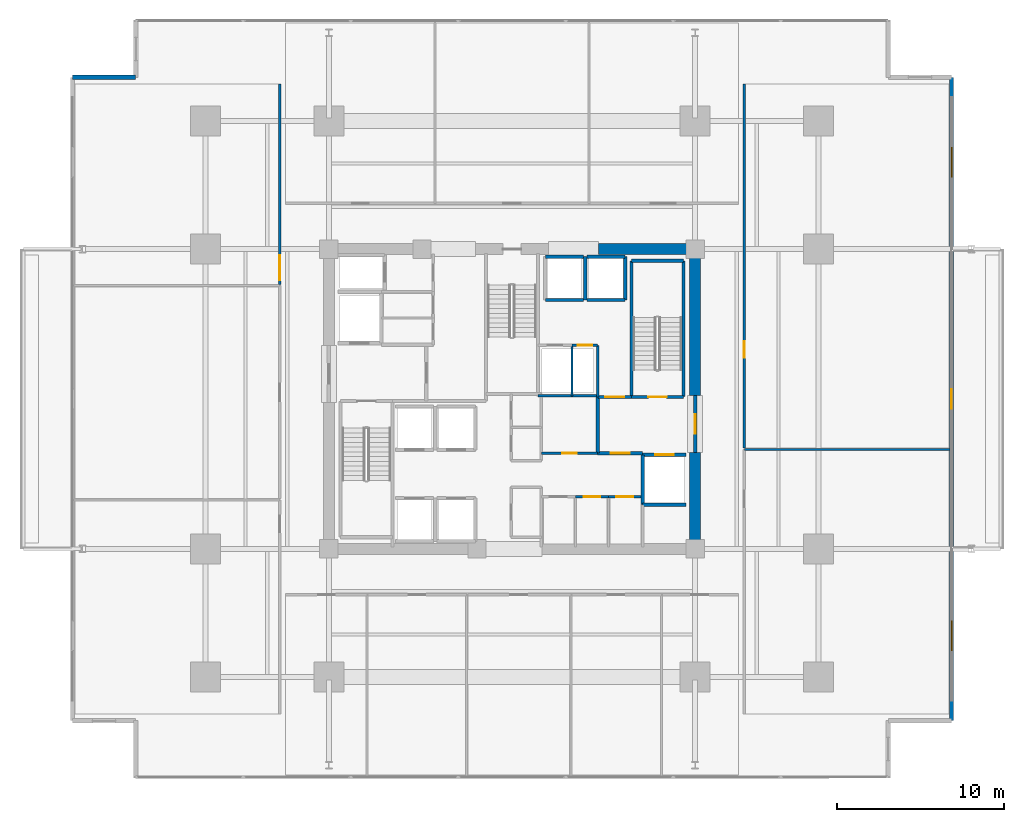
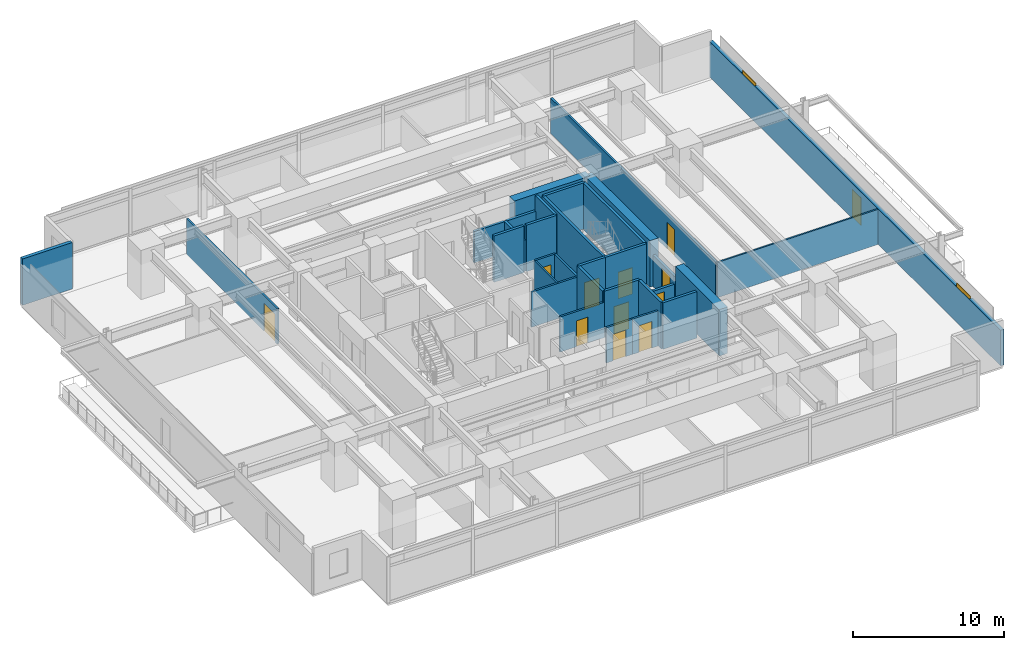
# One storey, part 17 of 22: 32 walls, 12 doors, 2 windows, 14 openings.
"""IFC4 building model written with IfcOpenShell, lengths in metres."""

from ifc_helpers import new_model, si_unit, direction, frame, frame_2d, origin, place, context, subcontext, project, spatial, rectangle, extrude, material, layer, layer_set, type_object, element, fill, save


model = new_model("IFC4")

# Units and contexts
model_context = context("Model", 3, precision=1e-05, world=origin(), true_north=direction((0.0, 1.0)))
body_context = subcontext(model_context, "Body", "Model", "MODEL_VIEW")
ifc_project = project(units=[si_unit("LENGTHUNIT", "METRE"), si_unit("AREAUNIT", "SQUARE_METRE"), si_unit("VOLUMEUNIT", "CUBIC_METRE"), si_unit("PLANEANGLEUNIT", "RADIAN"), si_unit("MASSUNIT", "GRAM", prefix="KILO")], contexts=[model_context])

# Site, building, storey
site_placement = place(None, origin())
site = spatial("IfcSite", under=ifc_project, at=site_placement, CompositionType="ELEMENT")
building_placement = place(site_placement, origin())
building = spatial("IfcBuilding", under=site, at=building_placement, Name="Kovane Verandah Tower", CompositionType="ELEMENT")
storey_placement = place(building_placement, frame((0.0, 0.0, 99.60009765625)))
storey = spatial("IfcBuildingStorey", under=building, at=storey_placement, Name="L23", CompositionType="ELEMENT", Elevation=99.60009765625)

# Wall
ifc_material_1 = material(Name="Fire-Rated Gypsum Stud Partition", Category="gypsum")
ifc_layer_1 = layer(ifc_material_1, 0.14990234375)
ifc_layer_set_1 = layer_set([ifc_layer_1], Name="Fire-Rated Gypsum Stud Partition")
wall_type_1 = type_object("IfcWallType", Name="WL-COR-150", PredefinedType="PARTITIONING", material=ifc_layer_set_1)
wall_1_placement = place(storey_placement, frame((41.56005859375, 27.679931640625, 0.0), z_axis=(0.0, 0.0, 1.0), x_axis=(1.0, 0.0, 0.0)))
element("IfcWall", 1, at=wall_1_placement, inside=storey, type_object=wall_type_1, Name="L23 East Core Service Riser South Wall", PredefinedType="PARTITIONING", context=body_context, shape_type="SweptSolid", body=[
    extrude(rectangle(XDim=3.58984375, YDim=0.14990234375, at=frame_2d((1.794921875, 0.0))), origin(), (0.0, 0.0, 1.0), 2.849853515625),
])

# Wall, opening, door
wall_2_placement = place(storey_placement, frame((43.800048828125, 21.6201171875, 0.0), z_axis=(0.0, 0.0, 1.0), x_axis=(1.0, 0.0, 0.0)))
wall_2 = element("IfcWall", 2, at=wall_2_placement, inside=storey, type_object=wall_type_1, Name="L23 First Aid Room Partition", PredefinedType="PARTITIONING", context=body_context, shape_type="SweptSolid", body=[
    extrude(rectangle(XDim=2.0, YDim=0.14990234375, at=frame_2d((1.0, 0.0))), origin(), (0.0, 0.0, 1.0), 2.849853515625),
])
opening_1_placement = place(wall_2_placement, frame((0.5, 0.0, 0.0)))
opening_1 = element("IfcOpeningElement", 3, at=opening_1_placement, cuts=wall_2, Name="Opening DR-L23-016", PredefinedType="OPENING", context=body_context, shape_type="SweptSolid", body=[
    extrude(rectangle(XDim=1.0, YDim=2.14990234375, at=frame_2d((0.5, 1.074951171875))), frame((0.0, 0.074951171875, 0.0), z_axis=(0.0, -1.0, 0.0), x_axis=(1.0, 0.0, 0.0)), (0.0, 0.0, 1.0), 0.14990234375),
])
ifc_material_2 = material(Name="FSC Spotted-Gum Timber Fire-Rated Office Door", Category="wood")
door_type_1 = type_object("IfcDoorType", Name="DR-OFF-1000", OperationType="SINGLE_SWING_LEFT", PredefinedType="DOOR", material=ifc_material_2)
door_1_placement = place(opening_1_placement, origin())
door_1 = element("IfcDoor", 4, at=door_1_placement, inside=storey, type_object=door_type_1, Name="L23 First Aid Room Door", OperationType="SINGLE_SWING_RIGHT", OverallHeight=2.14990234375, OverallWidth=1.0, PredefinedType="DOOR", context=body_context, shape_type="SweptSolid", body=[
    extrude(rectangle(XDim=1.0, YDim=2.14990234375, at=frame_2d((0.5, 1.074951171875))), frame((0.0, 0.02490234375, 0.0), z_axis=(0.0, -1.0, 0.0), x_axis=(1.0, 0.0, 0.0)), (0.0, 0.0, 1.0), 0.050048828125),
])
fill(opening_1, door_1)

wall_3_placement = place(storey_placement, frame((45.800048828125, 21.6201171875, 0.0), z_axis=(0.0, 0.0, 1.0), x_axis=(1.0, 0.0, 0.0)))
wall_3 = element("IfcWall", 5, at=wall_3_placement, inside=storey, type_object=wall_type_1, Name="L23 Quiet Wellness Room Partition", PredefinedType="PARTITIONING", context=body_context, shape_type="SweptSolid", body=[
    extrude(rectangle(XDim=1.93994140625, YDim=0.14990234375, at=frame_2d((0.969970703125, 0.0))), origin(), (0.0, 0.0, 1.0), 2.849853515625),
])
opening_2_placement = place(wall_3_placement, frame((0.469970703125, 0.0, 0.0)))
opening_2 = element("IfcOpeningElement", 6, at=opening_2_placement, cuts=wall_3, Name="Opening DR-L23-017", PredefinedType="OPENING", context=body_context, shape_type="SweptSolid", body=[
    extrude(rectangle(XDim=1.0, YDim=2.14990234375, at=frame_2d((0.5, 1.074951171875))), frame((0.0, 0.074951171875, 0.0), z_axis=(0.0, -1.0, 0.0), x_axis=(1.0, 0.0, 0.0)), (0.0, 0.0, 1.0), 0.14990234375),
])
door_2_placement = place(opening_2_placement, origin())
door_2 = element("IfcDoor", 7, at=door_2_placement, inside=storey, type_object=door_type_1, Name="L23 Quiet Wellness Room Door", OperationType="SINGLE_SWING_LEFT", OverallHeight=2.14990234375, OverallWidth=1.0, PredefinedType="DOOR", context=body_context, shape_type="SweptSolid", body=[
    extrude(rectangle(XDim=1.0, YDim=2.14990234375, at=frame_2d((0.5, 1.074951171875))), frame((0.0, 0.02490234375, 0.0), z_axis=(0.0, -1.0, 0.0), x_axis=(1.0, 0.0, 0.0)), (0.0, 0.0, 1.0), 0.050048828125),
])
fill(opening_2, door_2)

wall_4_placement = place(storey_placement, frame((41.760009765625, 24.25, 0.0), z_axis=(0.0, 0.0, 1.0), x_axis=(1.0, 0.0, 0.0)))
wall_4 = element("IfcWall", 8, at=wall_4_placement, inside=storey, type_object=wall_type_1, Name="L23 Supply Store Partition", PredefinedType="PARTITIONING", context=body_context, shape_type="SweptSolid", body=[
    extrude(rectangle(XDim=3.389892578125, YDim=0.14990234375, at=frame_2d((1.69482421875, 0.0))), origin(), (0.0, 0.0, 1.0), 2.849853515625),
])
opening_3_placement = place(wall_4_placement, frame((1.2548828125, 0.0, 0.0)))
opening_3 = element("IfcOpeningElement", 9, at=opening_3_placement, cuts=wall_4, Name="Opening DR-L23-018", PredefinedType="OPENING", context=body_context, shape_type="SweptSolid", body=[
    extrude(rectangle(XDim=0.8798828125, YDim=2.10009765625, at=frame_2d((0.43994140625, 1.050048828125))), frame((0.0, 0.074951171875, 0.0), z_axis=(0.0, -1.0, 0.0), x_axis=(1.0, 0.0, 0.0)), (0.0, 0.0, 1.0), 0.14990234375),
])
ifc_material_3 = material(Name="Fire-Rated Steel Riser Access Door", Category="steel")
door_type_2 = type_object("IfcDoorType", Name="DR-RISER-880", OperationType="SINGLE_SWING_LEFT", PredefinedType="DOOR", material=ifc_material_3)
door_3_placement = place(opening_3_placement, origin())
door_3 = element("IfcDoor", 10, at=door_3_placement, inside=storey, type_object=door_type_2, Name="L23 Supply Store Door", OperationType="SINGLE_SWING_RIGHT", OverallHeight=2.10009765625, OverallWidth=0.8798828125, PredefinedType="DOOR", context=body_context, shape_type="SweptSolid", body=[
    extrude(rectangle(XDim=0.8798828125, YDim=2.10009765625, at=frame_2d((0.43994140625, 1.050048828125))), frame((0.0, 0.02490234375, 0.0), z_axis=(0.0, -1.0, 0.0), x_axis=(1.0, 0.0, 0.0)), (0.0, 0.0, 1.0), 0.050048828125),
])
fill(opening_3, door_3)

# Wall
wall_5_placement = place(storey_placement, frame((45.14990234375, 27.6201171875, 0.0), z_axis=(0.0, 0.0, 1.0), x_axis=(0.0, 1.0, 0.0)))
element("IfcWall", 11, at=wall_5_placement, inside=storey, type_object=wall_type_1, Name="L23 East Core Service Riser East Wall", PredefinedType="PARTITIONING", context=body_context, shape_type="SweptSolid", body=[
    extrude(rectangle(XDim=3.099853515625, YDim=0.14990234375, at=frame_2d((1.5498046875, 0.0))), origin(), (0.0, 0.0, 1.0), 2.849853515625),
])

# Wall, opening, door
wall_6_placement = place(storey_placement, frame((43.60009765625, 30.719970703125, 0.0), z_axis=(0.0, 0.0, 1.0), x_axis=(1.0, 0.0, 0.0)))
wall_6 = element("IfcWall", 12, at=wall_6_placement, inside=storey, type_object=wall_type_1, Name="L23 Sprinkler Wet Riser Room Partition", PredefinedType="PARTITIONING", context=body_context, shape_type="SweptSolid", body=[
    extrude(rectangle(XDim=1.5498046875, YDim=0.14990234375, at=frame_2d((0.77490234375, 0.0))), origin(), (0.0, 0.0, 1.0), 2.849853515625),
])
opening_4_placement = place(wall_6_placement, frame((0.3349609375, 0.0, 0.0)))
opening_4 = element("IfcOpeningElement", 13, at=opening_4_placement, cuts=wall_6, Name="Opening DR-L23-020", PredefinedType="OPENING", context=body_context, shape_type="SweptSolid", body=[
    extrude(rectangle(XDim=0.8798828125, YDim=2.10009765625, at=frame_2d((0.43994140625, 1.050048828125))), frame((0.0, 0.074951171875, 0.0), z_axis=(0.0, -1.0, 0.0), x_axis=(1.0, 0.0, 0.0)), (0.0, 0.0, 1.0), 0.14990234375),
])
door_4_placement = place(opening_4_placement, origin())
door_4 = element("IfcDoor", 14, at=door_4_placement, inside=storey, type_object=door_type_2, Name="L23 Sprinkler Wet Riser Room Door", OperationType="SINGLE_SWING_RIGHT", OverallHeight=2.10009765625, OverallWidth=0.8798828125, PredefinedType="DOOR", context=body_context, shape_type="SweptSolid", body=[
    extrude(rectangle(XDim=0.8798828125, YDim=2.10009765625, at=frame_2d((0.43994140625, 1.050048828125))), frame((0.0, 0.02490234375, 0.0), z_axis=(0.0, -1.0, 0.0), x_axis=(1.0, 0.0, 0.0)), (0.0, 0.0, 1.0), 0.050048828125),
])
fill(opening_4, door_4)

wall_7_placement = place(storey_placement, frame((26.050048828125, 34.380859375, 0.0), z_axis=(0.0, 0.0, 1.0), x_axis=(0.0, 1.0, 0.0)))
wall_7 = element("IfcWall", 15, at=wall_7_placement, inside=storey, type_object=wall_type_1, Name="L23 Client Boardroom W3 Corridor Partition", PredefinedType="PARTITIONING", context=body_context, shape_type="SweptSolid", body=[
    extrude(rectangle(XDim=12.0380859375, YDim=0.14990234375, at=frame_2d((6.01904296875, 0.0))), origin(), (0.0, 0.0, 1.0), 2.849853515625),
])
opening_5_placement = place(wall_7_placement, frame((0.259521484375, 0.0, 0.0)))
opening_5 = element("IfcOpeningElement", 16, at=opening_5_placement, cuts=wall_7, Name="Opening DR-L23-035", PredefinedType="OPENING", context=body_context, shape_type="SweptSolid", body=[
    extrude(rectangle(XDim=1.5, YDim=2.25, at=frame_2d((0.75, 1.125))), frame((0.0, 0.074951171875, 0.0), z_axis=(0.0, -1.0, 0.0), x_axis=(1.0, 0.0, 0.0)), (0.0, 0.0, 1.0), 0.14990234375),
])
ifc_material_4 = material(Name="Glazed Timber Fire-Rated Double Door", Category="wood")
door_type_3 = type_object("IfcDoorType", Name="DR-CONF-1500", OperationType="DOUBLE_DOOR_SINGLE_SWING", PredefinedType="DOOR", material=ifc_material_4)
door_5_placement = place(opening_5_placement, origin())
door_5 = element("IfcDoor", 17, at=door_5_placement, inside=storey, type_object=door_type_3, Name="L23 Client Boardroom W3 Entrance Door", OperationType="DOUBLE_DOOR_SINGLE_SWING", OverallHeight=2.25, OverallWidth=1.5, PredefinedType="DOOR", context=body_context, shape_type="SweptSolid", body=[
    extrude(rectangle(XDim=1.5, YDim=2.25, at=frame_2d((0.75, 1.125))), frame((0.0, 0.02490234375, 0.0), z_axis=(0.0, -1.0, 0.0), x_axis=(1.0, 0.0, 0.0)), (0.0, 0.0, 1.0), 0.050048828125),
])
fill(opening_5, door_5)

wall_8_placement = place(storey_placement, frame((53.949951171875, 24.54296875, 0.0), z_axis=(0.0, 0.0, 1.0), x_axis=(0.0, 1.0, 0.0)))
wall_8 = element("IfcWall", 18, at=wall_8_placement, inside=storey, type_object=wall_type_1, Name="L23 Focus Studio E2 Corridor Partition", PredefinedType="PARTITIONING", context=body_context, shape_type="SweptSolid", body=[
    extrude(rectangle(XDim=21.8759765625, YDim=0.14990234375, at=frame_2d((10.93798828125, 0.0))), origin(), (0.0, 0.0, 1.0), 2.849853515625),
])
opening_6_placement = place(wall_8_placement, frame((5.428466796875, 0.0, 0.0)))
opening_6 = element("IfcOpeningElement", 19, at=opening_6_placement, cuts=wall_8, Name="Opening DR-L23-014", PredefinedType="OPENING", context=body_context, shape_type="SweptSolid", body=[
    extrude(rectangle(XDim=1.0, YDim=2.14990234375, at=frame_2d((0.5, 1.074951171875))), frame((0.0, 0.074951171875, 0.0), z_axis=(0.0, -1.0, 0.0), x_axis=(1.0, 0.0, 0.0)), (0.0, 0.0, 1.0), 0.14990234375),
])
door_6_placement = place(opening_6_placement, origin())
door_6 = element("IfcDoor", 20, at=door_6_placement, inside=storey, type_object=door_type_1, Name="L23 Focus Studio E2 Entrance Door", OperationType="SINGLE_SWING_LEFT", OverallHeight=2.14990234375, OverallWidth=1.0, PredefinedType="DOOR", context=body_context, shape_type="SweptSolid", body=[
    extrude(rectangle(XDim=1.0, YDim=2.14990234375, at=frame_2d((0.5, 1.074951171875))), frame((0.0, 0.02490234375, 0.0), z_axis=(0.0, -1.0, 0.0), x_axis=(1.0, 0.0, 0.0)), (0.0, 0.0, 1.0), 0.050048828125),
])
fill(opening_6, door_6)

# Walls
ifc_material_5 = material(Name="Concrete C80/95", Category="concrete")
ifc_layer_2 = layer(ifc_material_5, 0.64990234375)
ifc_layer_set_2 = layer_set([ifc_layer_2], Name="Concrete C80/95")
wall_type_2 = type_object("IfcWallType", Name="WL-CORE-650", PredefinedType="SHEAR", material=ifc_layer_set_2)
for number, where, z_axis, x_axis, name in (
    (21, (45.199951171875, 36.5, 0.0), (0.0, 0.0, 1.0), (1.0, 0.0, 0.0), "L23 Core Shear Wall CN-3"),
    (22, (51.0, 18.5, 0.0), (0.0, 0.0, 1.0), (0.0, 1.0, 0.0), "L23 Core Shear Wall CE-1"),
):
    element("IfcWall", number, at=place(storey_placement, frame(where, z_axis=z_axis, x_axis=x_axis)), inside=storey, type_object=wall_type_2, Name=name, PredefinedType="SHEAR", context=body_context, shape_type="SweptSolid", body=[
        extrude(rectangle(XDim=5.800048828125, YDim=0.64990234375, at=frame_2d((2.89990234375, 0.0))), origin(), (0.0, 0.0, 1.0), 3.760009765625),
    ])
wall_9_placement = place(storey_placement, frame((51.0, 27.699951171875, 0.0), z_axis=(0.0, 0.0, 1.0), x_axis=(0.0, 1.0, 0.0)))
element("IfcWall", 23, at=wall_9_placement, inside=storey, type_object=wall_type_2, Name="L23 Core Shear Wall CE-2", PredefinedType="SHEAR", context=body_context, shape_type="SweptSolid", body=[
    extrude(rectangle(XDim=8.800048828125, YDim=0.64990234375, at=frame_2d((4.39990234375, 0.0))), origin(), (0.0, 0.0, 1.0), 3.760009765625),
])
ifc_material_6 = material(Name="Concrete C45/55 Fire Wall", Category="concrete")
ifc_layer_3 = layer(ifc_material_6, 0.199951171875)
ifc_layer_set_3 = layer_set([ifc_layer_3], Name="Concrete C45/55 Fire Wall")
wall_type_3 = type_object("IfcWallType", Name="WL-FFL-200", PredefinedType="PARTITIONING", material=ifc_layer_set_3)
wall_10_placement = place(storey_placement, frame((45.14990234375, 24.25, 0.0), z_axis=(0.0, 0.0, 1.0), x_axis=(0.0, 1.0, 0.0)))
element("IfcWall", 24, at=wall_10_placement, inside=storey, type_object=wall_type_3, Name="L23 East Firefighting Lobby West Fire Wall", PredefinedType="PARTITIONING", context=body_context, shape_type="SweptSolid", body=[
    extrude(rectangle(XDim=3.3701171875, YDim=0.199951171875, at=frame_2d((1.68505859375, 0.0))), origin(), (0.0, 0.0, 1.0), 3.760009765625),
])

# Wall, opening, door
wall_11_placement = place(storey_placement, frame((45.14990234375, 24.25, 0.0), z_axis=(0.0, 0.0, 1.0), x_axis=(1.0, 0.0, 0.0)))
wall_11 = element("IfcWall", 25, at=wall_11_placement, inside=storey, type_object=wall_type_3, Name="W-L23-FFLE-S", PredefinedType="PARTITIONING", context=body_context, shape_type="SweptSolid", body=[
    extrude(rectangle(XDim=2.7001953125, YDim=0.199951171875, at=frame_2d((1.35009765625, 0.0))), origin(), (0.0, 0.0, 1.0), 3.760009765625),
])
opening_7_placement = place(wall_11_placement, frame((0.77490234375, 0.0, 0.0)))
opening_7 = element("IfcOpeningElement", 26, at=opening_7_placement, cuts=wall_11, Name="Opening DR-L23-003", PredefinedType="OPENING", context=body_context, shape_type="SweptSolid", body=[
    extrude(rectangle(XDim=1.14990234375, YDim=2.199951171875, at=frame_2d((0.574951171875, 1.10009765625))), frame((0.0, 0.10009765625, 0.0), z_axis=(0.0, -1.0, 0.0), x_axis=(1.0, 0.0, 0.0)), (0.0, 0.0, 1.0), 0.199951171875),
])
ifc_material_7 = material(Name="Smoke-Sealed Firefighting Lobby Door", Category="steel")
door_type_4 = type_object("IfcDoorType", Name="DR-FFL-1150", OperationType="SINGLE_SWING_LEFT", PredefinedType="DOOR", material=ifc_material_7)
door_7_placement = place(opening_7_placement, origin())
door_7 = element("IfcDoor", 27, at=door_7_placement, inside=storey, type_object=door_type_4, Name="L23 East Firefighting Lobby Inner Door", OperationType="SINGLE_SWING_RIGHT", OverallHeight=2.199951171875, OverallWidth=1.14990234375, PredefinedType="DOOR", context=body_context, shape_type="SweptSolid", body=[
    extrude(rectangle(XDim=1.14990234375, YDim=2.199951171875, at=frame_2d((0.574951171875, 1.10009765625))), frame((0.0, 0.02490234375, 0.0), z_axis=(0.0, -1.0, 0.0), x_axis=(1.0, 0.0, 0.0)), (0.0, 0.0, 1.0), 0.050048828125),
])
fill(opening_7, door_7)

wall_12_placement = place(storey_placement, frame((45.14990234375, 27.6201171875, 0.0), z_axis=(0.0, 0.0, 1.0), x_axis=(1.0, 0.0, 0.0)))
wall_12 = element("IfcWall", 28, at=wall_12_placement, inside=storey, type_object=wall_type_3, Name="W-L23-FFLE-N", PredefinedType="PARTITIONING", context=body_context, shape_type="SweptSolid", body=[
    extrude(rectangle(XDim=2.030029296875, YDim=0.199951171875, at=frame_2d((1.01513671875, 0.0))), origin(), (0.0, 0.0, 1.0), 3.760009765625),
])
opening_8_placement = place(wall_12_placement, frame((0.43994140625, 0.0, 0.0)))
opening_8 = element("IfcOpeningElement", 29, at=opening_8_placement, cuts=wall_12, Name="Opening DR-L23-004", PredefinedType="OPENING", context=body_context, shape_type="SweptSolid", body=[
    extrude(rectangle(XDim=1.14990234375, YDim=2.199951171875, at=frame_2d((0.574951171875, 1.10009765625))), frame((0.0, 0.10009765625, 0.0), z_axis=(0.0, -1.0, 0.0), x_axis=(1.0, 0.0, 0.0)), (0.0, 0.0, 1.0), 0.199951171875),
])
door_8_placement = place(opening_8_placement, origin())
door_8 = element("IfcDoor", 30, at=door_8_placement, inside=storey, type_object=door_type_4, Name="L23 East Firefighting Lobby Shuttle Link Door", OperationType="SINGLE_SWING_LEFT", OverallHeight=2.199951171875, OverallWidth=1.14990234375, PredefinedType="DOOR", context=body_context, shape_type="SweptSolid", body=[
    extrude(rectangle(XDim=1.14990234375, YDim=2.199951171875, at=frame_2d((0.574951171875, 1.10009765625))), frame((0.0, 0.02490234375, 0.0), z_axis=(0.0, -1.0, 0.0), x_axis=(1.0, 0.0, 0.0)), (0.0, 0.0, 1.0), 0.050048828125),
])
fill(opening_8, door_8)

wall_13_placement = place(storey_placement, frame((51.0, 24.300048828125, 0.0), z_axis=(0.0, 0.0, 1.0), x_axis=(0.0, 1.0, 0.0)))
wall_13 = element("IfcWall", 31, at=wall_13_placement, inside=storey, type_object=wall_type_3, Name="W-L23-FFLE-OUT", PredefinedType="PARTITIONING", context=body_context, shape_type="SweptSolid", body=[
    extrude(rectangle(XDim=3.39990234375, YDim=0.199951171875, at=frame_2d((1.699951171875, 0.0))), origin(), (0.0, 0.0, 1.0), 2.539794921875),
])
opening_9_placement = place(wall_13_placement, frame((1.125, 0.0, 0.0)))
opening_9 = element("IfcOpeningElement", 32, at=opening_9_placement, cuts=wall_13, Name="Opening DR-L23-005", PredefinedType="OPENING", context=body_context, shape_type="SweptSolid", body=[
    extrude(rectangle(XDim=1.14990234375, YDim=2.199951171875, at=frame_2d((0.574951171875, 1.10009765625))), frame((0.0, 0.10009765625, 0.0), z_axis=(0.0, -1.0, 0.0), x_axis=(1.0, 0.0, 0.0)), (0.0, 0.0, 1.0), 0.199951171875),
])
door_9_placement = place(opening_9_placement, origin())
door_9 = element("IfcDoor", 33, at=door_9_placement, inside=storey, type_object=door_type_4, Name="L23 East Firefighting Lobby Corridor Door", OperationType="SINGLE_SWING_LEFT", OverallHeight=2.199951171875, OverallWidth=1.14990234375, PredefinedType="DOOR", context=body_context, shape_type="SweptSolid", body=[
    extrude(rectangle(XDim=1.14990234375, YDim=2.199951171875, at=frame_2d((0.574951171875, 1.10009765625))), frame((0.0, 0.02490234375, 0.0), z_axis=(0.0, -1.0, 0.0), x_axis=(1.0, 0.0, 0.0)), (0.0, 0.0, 1.0), 0.050048828125),
])
fill(opening_9, door_9)

# Wall
ifc_material_8 = material(Name="Concrete C45/55 Lift Shaft Wall", Category="concrete")
ifc_layer_4 = layer(ifc_material_8, 0.199951171875)
ifc_layer_set_4 = layer_set([ifc_layer_4], Name="Concrete C45/55 Lift Shaft Wall")
wall_type_4 = type_object("IfcWallType", Name="WL-LIFT-200", PredefinedType="SOLIDWALL", material=ifc_layer_set_4)
wall_14_placement = place(storey_placement, frame((47.85009765625, 21.14990234375, 0.0), z_axis=(0.0, 0.0, 1.0), x_axis=(1.0, 0.0, 0.0)))
element("IfcWall", 34, at=wall_14_placement, inside=storey, type_object=wall_type_4, Name="L23 Lift FL-02 S Shaft Wall", PredefinedType="SOLIDWALL", context=body_context, shape_type="SweptSolid", body=[
    extrude(rectangle(XDim=2.599853515625, YDim=0.199951171875, at=frame_2d((1.2998046875, 0.0))), origin(), (0.0, 0.0, 1.0), 3.760009765625),
])

# Wall, opening, door
wall_15_placement = place(storey_placement, frame((50.449951171875, 24.14990234375, 0.0), z_axis=(0.0, 0.0, 1.0), x_axis=(-1.0, 0.0, 0.0)))
wall_15 = element("IfcWall", 35, at=wall_15_placement, inside=storey, type_object=wall_type_4, Name="L23 Lift FL-02 N Shaft Wall", PredefinedType="SOLIDWALL", context=body_context, shape_type="SweptSolid", body=[
    extrude(rectangle(XDim=2.599853515625, YDim=0.199951171875, at=frame_2d((1.2998046875, 0.0))), origin(), (0.0, 0.0, 1.0), 2.539794921875),
])
opening_10_placement = place(wall_15_placement, frame((0.75, 0.0, 0.0)))
opening_10 = element("IfcOpeningElement", 36, at=opening_10_placement, cuts=wall_15, Name="Opening LD-L23-002", PredefinedType="OPENING", context=body_context, shape_type="SweptSolid", body=[
    extrude(rectangle(XDim=1.10009765625, YDim=2.199951171875, at=frame_2d((0.550048828125, 1.10009765625))), frame((0.0, 0.10009765625, 0.0), z_axis=(0.0, -1.0, 0.0), x_axis=(1.0, 0.0, 0.0)), (0.0, 0.0, 1.0), 0.199951171875),
])
ifc_material_9 = material(Name="Brushed Stainless Steel Sliding Lift Landing Door", Category="steel")
door_type_5 = type_object("IfcDoorType", Name="DR-LIFT-1100", OperationType="SLIDING_TO_RIGHT", PredefinedType="DOOR", material=ifc_material_9)
door_10_placement = place(opening_10_placement, origin())
door_10 = element("IfcDoor", 37, at=door_10_placement, inside=storey, type_object=door_type_5, Name="L23 Lift FL-02 Sliding Landing Door", OperationType="SLIDING_TO_RIGHT", OverallHeight=2.199951171875, OverallWidth=1.10009765625, PredefinedType="DOOR", context=body_context, shape_type="SweptSolid", body=[
    extrude(rectangle(XDim=1.10009765625, YDim=2.199951171875, at=frame_2d((0.550048828125, 1.10009765625))), frame((0.0, 0.02490234375, 0.0), z_axis=(0.0, -1.0, 0.0), x_axis=(1.0, 0.0, 0.0)), (0.0, 0.0, 1.0), 0.050048828125),
])
fill(opening_10, door_10)

# Walls
wall_16_placement = place(storey_placement, frame((47.85009765625, 24.14990234375, 0.0), z_axis=(0.0, 0.0, 1.0), x_axis=(0.0, -1.0, 0.0)))
element("IfcWall", 38, at=wall_16_placement, inside=storey, type_object=wall_type_4, Name="L23 Lift FL-02 W Shaft Wall", PredefinedType="SOLIDWALL", context=body_context, shape_type="SweptSolid", body=[
    extrude(rectangle(XDim=3.0, YDim=0.199951171875, at=frame_2d((1.5, 0.0))), origin(), (0.0, 0.0, 1.0), 3.760009765625),
])
wall_17_placement = place(storey_placement, frame((42.0, 33.449951171875, 0.0), z_axis=(0.0, 0.0, 1.0), x_axis=(1.0, 0.0, 0.0)))
element("IfcWall", 39, at=wall_17_placement, inside=storey, type_object=wall_type_4, Name="L23 Lift SL-01 S Shaft Wall", PredefinedType="SOLIDWALL", context=body_context, shape_type="SweptSolid", body=[
    extrude(rectangle(XDim=2.300048828125, YDim=0.199951171875, at=frame_2d((1.14990234375, 0.0))), origin(), (0.0, 0.0, 1.0), 3.760009765625),
])
wall_18_placement = place(storey_placement, frame((44.300048828125, 36.050048828125, 0.0), z_axis=(0.0, 0.0, 1.0), x_axis=(-1.0, 0.0, 0.0)))
element("IfcWall", 40, at=wall_18_placement, inside=storey, type_object=wall_type_4, Name="L23 Lift SL-01 N Shaft Wall", PredefinedType="SOLIDWALL", context=body_context, shape_type="SweptSolid", body=[
    extrude(rectangle(XDim=2.300048828125, YDim=0.199951171875, at=frame_2d((1.14990234375, 0.0))), origin(), (0.0, 0.0, 1.0), 2.539794921875),
])
wall_19_placement = place(storey_placement, frame((44.39990234375, 33.449951171875, 0.0), z_axis=(0.0, 0.0, 1.0), x_axis=(0.0, 1.0, 0.0)))
element("IfcWall", 41, at=wall_19_placement, inside=storey, type_object=wall_type_4, Name="L23 Lift OL-01 and SL-01 Shared Shaft Wall", PredefinedType="SOLIDWALL", context=body_context, shape_type="SweptSolid", body=[
    extrude(rectangle(XDim=2.60009765625, YDim=0.199951171875, at=frame_2d((1.300048828125, 0.0))), origin(), (0.0, 0.0, 1.0), 2.539794921875),
])
wall_20_placement = place(storey_placement, frame((44.5, 33.449951171875, 0.0), z_axis=(0.0, 0.0, 1.0), x_axis=(1.0, 0.0, 0.0)))
element("IfcWall", 42, at=wall_20_placement, inside=storey, type_object=wall_type_4, Name="L23 Lift OL-01 S Shaft Wall", PredefinedType="SOLIDWALL", context=body_context, shape_type="SweptSolid", body=[
    extrude(rectangle(XDim=2.300048828125, YDim=0.199951171875, at=frame_2d((1.14990234375, 0.0))), origin(), (0.0, 0.0, 1.0), 3.760009765625),
])
wall_21_placement = place(storey_placement, frame((46.800048828125, 36.050048828125, 0.0), z_axis=(0.0, 0.0, 1.0), x_axis=(-1.0, 0.0, 0.0)))
element("IfcWall", 43, at=wall_21_placement, inside=storey, type_object=wall_type_4, Name="L23 Lift OL-01 N Shaft Wall", PredefinedType="SOLIDWALL", context=body_context, shape_type="SweptSolid", body=[
    extrude(rectangle(XDim=2.300048828125, YDim=0.199951171875, at=frame_2d((1.14990234375, 0.0))), origin(), (0.0, 0.0, 1.0), 2.539794921875),
])
wall_22_placement = place(storey_placement, frame((46.800048828125, 33.449951171875, 0.0), z_axis=(0.0, 0.0, 1.0), x_axis=(0.0, 1.0, 0.0)))
element("IfcWall", 44, at=wall_22_placement, inside=storey, type_object=wall_type_4, Name="L23 Lift OL-01 E Shaft Wall", PredefinedType="SOLIDWALL", context=body_context, shape_type="SweptSolid", body=[
    extrude(rectangle(XDim=2.60009765625, YDim=0.199951171875, at=frame_2d((1.300048828125, 0.0))), origin(), (0.0, 0.0, 1.0), 3.760009765625),
])
ifc_material_10 = material(Name="Acoustic Fire-Rated Gypsum Partition", Category="gypsum")
ifc_layer_5 = layer(ifc_material_10, 0.1201171875)
ifc_layer_set_5 = layer_set([ifc_layer_5], Name="Acoustic Fire-Rated Gypsum Partition")
wall_type_5 = type_object("IfcWallType", Name="WL-PART-120", PredefinedType="PARTITIONING", material=ifc_layer_set_5)
wall_23_placement = place(storey_placement, frame((43.60009765625, 27.679931640625, 0.0), z_axis=(0.0, 0.0, 1.0), x_axis=(0.0, 1.0, 0.0)))
element("IfcWall", 45, at=wall_23_placement, inside=storey, type_object=wall_type_5, Name="L23 Service Riser Dividing Partition", PredefinedType="PARTITIONING", context=body_context, shape_type="SweptSolid", body=[
    extrude(rectangle(XDim=3.0400390625, YDim=0.1201171875, at=frame_2d((1.52001953125, 0.0))), origin(), (0.0, 0.0, 1.0), 2.849853515625),
])
wall_24_placement = place(storey_placement, frame((53.949951171875, 24.472900390625, 0.0), z_axis=(0.0, 0.0, 1.0), x_axis=(1.0, 0.0, 0.0)))
element("IfcWall", 46, at=wall_24_placement, inside=storey, type_object=wall_type_5, Name="L23 Meeting Room E1 Dividing Partition", PredefinedType="PARTITIONING", context=body_context, shape_type="SweptSolid", body=[
    extrude(rectangle(XDim=12.3486328125, YDim=0.1201171875, at=frame_2d((6.17431640625, 0.0))), origin(), (0.0, 0.0, 1.0), 2.849853515625),
])
ifc_material_11 = material(Name="Concrete C45/55", Category="concrete")
ifc_layer_6 = layer(ifc_material_11, 0.199951171875)
ifc_layer_set_6 = layer_set([ifc_layer_6], Name="Concrete C45/55")
wall_type_6 = type_object("IfcWallType", Name="WL-SHAFT-200", PredefinedType="SOLIDWALL", material=ifc_layer_set_6)
wall_25_placement = place(storey_placement, frame((50.300048828125, 27.64990234375, 0.0), z_axis=(0.0, 0.0, 1.0), x_axis=(0.0, 1.0, 0.0)))
element("IfcWall", 47, at=wall_25_placement, inside=storey, type_object=wall_type_6, Name="W-L23-ST02-E", PredefinedType="SOLIDWALL", context=body_context, shape_type="SweptSolid", body=[
    extrude(rectangle(XDim=8.150146484375, YDim=0.199951171875, at=frame_2d((4.0751953125, 0.0))), origin(), (0.0, 0.0, 1.0), 3.760009765625),
])
wall_26_placement = place(storey_placement, frame((47.179931640625, 35.800048828125, 0.0), z_axis=(0.0, 0.0, 1.0), x_axis=(1.0, 0.0, 0.0)))
element("IfcWall", 48, at=wall_26_placement, inside=storey, type_object=wall_type_6, Name="W-L23-ST02-N", PredefinedType="SOLIDWALL", context=body_context, shape_type="SweptSolid", body=[
    extrude(rectangle(XDim=3.1201171875, YDim=0.199951171875, at=frame_2d((1.56005859375, 0.0))), origin(), (0.0, 0.0, 1.0), 3.760009765625),
])
wall_27_placement = place(storey_placement, frame((47.179931640625, 27.6201171875, 0.0), z_axis=(0.0, 0.0, 1.0), x_axis=(0.0, 1.0, 0.0)))
element("IfcWall", 49, at=wall_27_placement, inside=storey, type_object=wall_type_6, Name="W-L23-ST02-W", PredefinedType="SOLIDWALL", context=body_context, shape_type="SweptSolid", body=[
    extrude(rectangle(XDim=8.179931640625, YDim=0.199951171875, at=frame_2d((4.08984375, 0.0))), origin(), (0.0, 0.0, 1.0), 3.760009765625),
])

# Wall, opening, door
wall_28_placement = place(storey_placement, frame((47.179931640625, 27.6201171875, 0.0), z_axis=(0.0, 0.0, 1.0), x_axis=(1.0, 0.0, 0.0)))
wall_28 = element("IfcWall", 50, at=wall_28_placement, inside=storey, type_object=wall_type_6, Name="W-L23-ST02-S", PredefinedType="SOLIDWALL", context=body_context, shape_type="SweptSolid", body=[
    extrude(rectangle(XDim=3.1201171875, YDim=0.199951171875, at=frame_2d((1.56005859375, 0.0))), origin(), (0.0, 0.0, 1.0), 3.760009765625),
])
opening_11_placement = place(wall_28_placement, frame((1.010009765625, 0.0, 0.0)))
opening_11 = element("IfcOpeningElement", 51, at=opening_11_placement, cuts=wall_28, Name="Opening DR-L23-010", PredefinedType="OPENING", context=body_context, shape_type="SweptSolid", body=[
    extrude(rectangle(XDim=1.10009765625, YDim=2.14990234375, at=frame_2d((0.550048828125, 1.074951171875))), frame((0.0, 0.10009765625, 0.0), z_axis=(0.0, -1.0, 0.0), x_axis=(1.0, 0.0, 0.0)), (0.0, 0.0, 1.0), 0.199951171875),
])
ifc_material_12 = material(Name="Fire-Rated Steel Exit Door", Category="steel")
door_type_6 = type_object("IfcDoorType", Name="DR-STAIR-1100", OperationType="SINGLE_SWING_LEFT", PredefinedType="DOOR", material=ifc_material_12)
door_11_placement = place(opening_11_placement, origin())
door_11 = element("IfcDoor", 52, at=door_11_placement, inside=storey, type_object=door_type_6, Name="L23 ST-02 Fire Exit Stair Door", OperationType="SINGLE_SWING_LEFT", OverallHeight=2.14990234375, OverallWidth=1.10009765625, PredefinedType="DOOR", context=body_context, shape_type="SweptSolid", body=[
    extrude(rectangle(XDim=1.10009765625, YDim=2.14990234375, at=frame_2d((0.550048828125, 1.074951171875))), frame((0.0, 0.02490234375, 0.0), z_axis=(0.0, -1.0, 0.0), x_axis=(1.0, 0.0, 0.0)), (0.0, 0.0, 1.0), 0.050048828125),
])
fill(opening_11, door_11)

# Wall, openings, door, windows
ifc_material_13 = material(Name="Concrete C45/55 Insulated Spandrel Wall", Category="concrete")
ifc_layer_7 = layer(ifc_material_13, 0.260009765625)
ifc_layer_set_7 = layer_set([ifc_layer_7], Name="Concrete C45/55 Insulated Spandrel Wall")
wall_type_7 = type_object("IfcWallType", Name="WL-SPANDREL-260", PredefinedType="PARAPET", material=ifc_layer_set_7)
wall_29_placement = place(storey_placement, frame((66.398681640625, 8.180908203125, 0.0), z_axis=(0.0, 0.0, 1.0), x_axis=(0.0, 1.0, 0.0)))
wall_29 = element("IfcWall", 53, at=wall_29_placement, inside=storey, type_object=wall_type_7, Name="L23 E Verandah Access Facade Wall", PredefinedType="PARAPET", context=body_context, shape_type="SweptSolid", body=[
    extrude(rectangle(XDim=38.63818359375, YDim=0.260009765625, at=frame_2d((19.319091796875, 0.0))), origin(), (0.0, 0.0, 1.0), 2.88916015625),
])
opening_12_placement = place(wall_29_placement, frame((4.199951171875, 0.0, 0.85009765625)))
opening_12 = element("IfcOpeningElement", 54, at=opening_12_placement, cuts=wall_29, Name="Opening W-03", PredefinedType="OPENING", context=body_context, shape_type="SweptSolid", body=[
    extrude(rectangle(XDim=1.800048828125, YDim=2.199951171875, at=frame_2d((0.89990234375, 1.10009765625))), frame((0.0, 0.1298828125, 0.0), z_axis=(0.0, -1.0, 0.0), x_axis=(1.0, 0.0, 0.0)), (0.0, 0.0, 1.0), 0.260009765625),
])
opening_13_placement = place(wall_29_placement, frame((18.718994140625, 0.0, 0.0)))
opening_13 = element("IfcOpeningElement", 55, at=opening_13_placement, cuts=wall_29, Name="Opening DR-L23-001", PredefinedType="OPENING", context=body_context, shape_type="SweptSolid", body=[
    extrude(rectangle(XDim=1.199951171875, YDim=2.199951171875, at=frame_2d((0.60009765625, 1.10009765625))), frame((0.0, 0.1298828125, 0.0), z_axis=(0.0, -1.0, 0.0), x_axis=(1.0, 0.0, 0.0)), (0.0, 0.0, 1.0), 0.260009765625),
])
opening_14_placement = place(wall_29_placement, frame((32.637939453125, 0.0, 0.85009765625)))
opening_14 = element("IfcOpeningElement", 56, at=opening_14_placement, cuts=wall_29, Name="Opening W-03", PredefinedType="OPENING", context=body_context, shape_type="SweptSolid", body=[
    extrude(rectangle(XDim=1.800048828125, YDim=2.199951171875, at=frame_2d((0.89990234375, 1.10009765625))), frame((0.0, 0.1298828125, 0.0), z_axis=(0.0, -1.0, 0.0), x_axis=(1.0, 0.0, 0.0)), (0.0, 0.0, 1.0), 0.260009765625),
])
ifc_material_14 = material(Name="Cyclone-Rated Glazed Balcony Leaf Door", Category="aluminium")
door_type_7 = type_object("IfcDoorType", Name="DR-BAL-1200x2200", OperationType="SINGLE_SWING_LEFT", PredefinedType="DOOR", material=ifc_material_14)
door_12_placement = place(opening_13_placement, origin())
door_12 = element("IfcDoor", 57, at=door_12_placement, inside=storey, type_object=door_type_7, Name="L23 E Planted Balcony Access Door", OperationType="SINGLE_SWING_LEFT", OverallHeight=2.199951171875, OverallWidth=1.199951171875, PredefinedType="DOOR", context=body_context, shape_type="SweptSolid", body=[
    extrude(rectangle(XDim=1.199951171875, YDim=2.199951171875, at=frame_2d((0.60009765625, 1.10009765625))), frame((0.0, 0.02490234375, 0.0), z_axis=(0.0, -1.0, 0.0), x_axis=(1.0, 0.0, 0.0)), (0.0, 0.0, 1.0), 0.050048828125),
])
fill(opening_13, door_12)
ifc_material_15 = material(Name="Clear Low-E Laminated Double Glazing in Anodised Frame", Category="glass")
window_type = type_object("IfcWindowType", Name="WN-NOTCH-1800x2200", PartitioningType="SINGLE_PANEL", PredefinedType="WINDOW", material=ifc_material_15)
window_1_placement = place(opening_12_placement, origin())
window_1 = element("IfcWindow", 58, at=window_1_placement, inside=storey, type_object=window_type, Name="L23 E Verandah View Window 1", OverallHeight=2.199951171875, OverallWidth=1.800048828125, PartitioningType="SINGLE_PANEL", PredefinedType="WINDOW", context=body_context, shape_type="SweptSolid", body=[
    extrude(rectangle(XDim=1.800048828125, YDim=2.199951171875, at=frame_2d((0.89990234375, 1.10009765625))), frame((0.0, 0.030029296875, 0.0), z_axis=(0.0, -1.0, 0.0), x_axis=(1.0, 0.0, 0.0)), (0.0, 0.0, 1.0), 0.06005859375),
])
fill(opening_12, window_1)
window_2_placement = place(opening_14_placement, origin())
window_2 = element("IfcWindow", 59, at=window_2_placement, inside=storey, type_object=window_type, Name="L23 E Verandah View Window 2", OverallHeight=2.199951171875, OverallWidth=1.800048828125, PartitioningType="SINGLE_PANEL", PredefinedType="WINDOW", context=body_context, shape_type="SweptSolid", body=[
    extrude(rectangle(XDim=1.800048828125, YDim=2.199951171875, at=frame_2d((0.89990234375, 1.10009765625))), frame((0.0, 0.030029296875, 0.0), z_axis=(0.0, -1.0, 0.0), x_axis=(1.0, 0.0, 0.0)), (0.0, 0.0, 1.0), 0.06005859375),
])
fill(opening_14, window_2)

# Wall
wall_30_placement = place(storey_placement, frame((17.4013671875, 46.819091796875, 0.0), z_axis=(0.0, 0.0, 1.0), x_axis=(-1.0, 0.0, 0.0)))
element("IfcWall", 60, at=wall_30_placement, inside=storey, type_object=wall_type_7, Name="L23 NW Notch Cheek Wall 2", PredefinedType="PARAPET", context=body_context, shape_type="SweptSolid", body=[
    extrude(rectangle(XDim=3.800048828125, YDim=0.260009765625, at=frame_2d((1.89990234375, 0.0))), origin(), (0.0, 0.0, 1.0), 3.760009765625),
])

save(model, "model.ifc")
